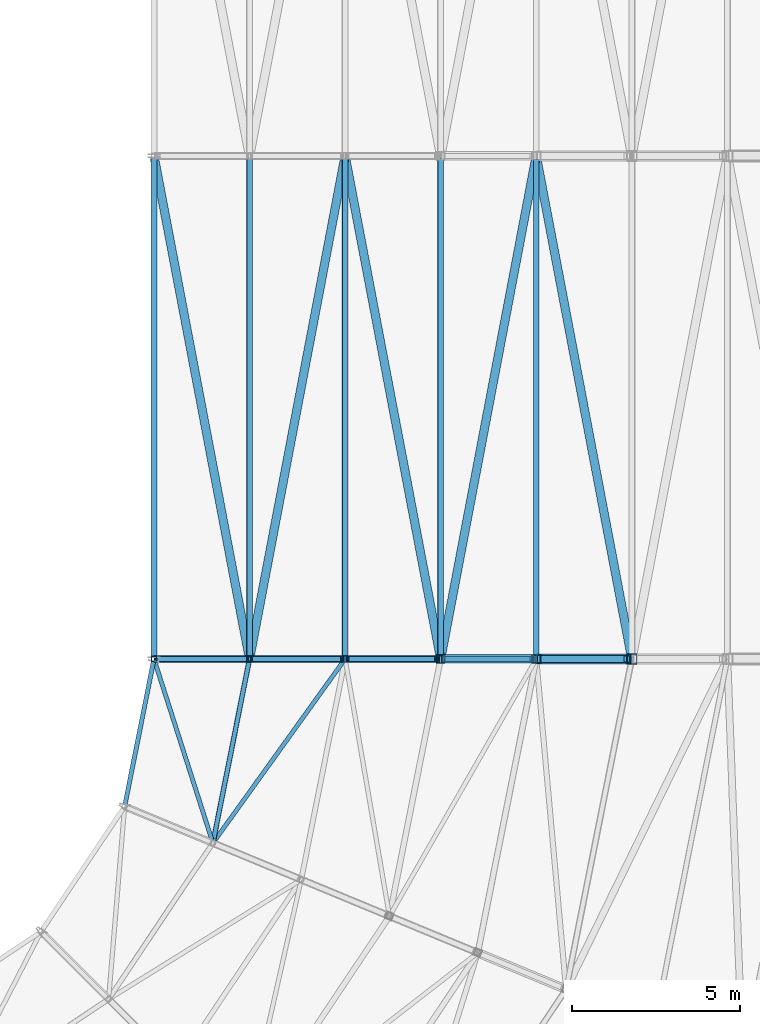
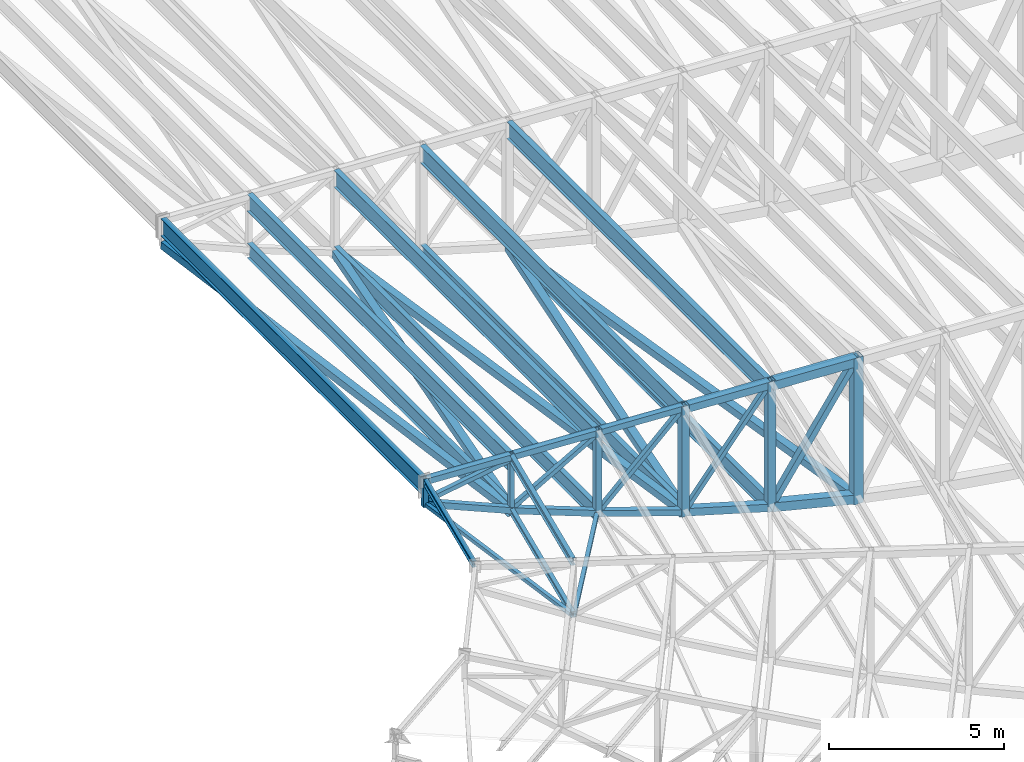
# One storey, part 50 of 278: 24 members, 16 beams.
"""IFC4 building model written with IfcOpenShell, lengths in metres."""

from ifc_helpers import new_model, si_unit, direction, frame, origin, origin_2d, place, context, subcontext, project, spatial, hollow_rectangle, i_section, extrude, material, material_profile, profile_set, type_object, element, save


model = new_model("IFC4")

# Units and contexts
model_context = context("Model", 3, precision=1e-05, world=origin(), true_north=direction((0.0, 1.0)))
body_context = subcontext(model_context, "Body", "Model", "MODEL_VIEW")
ifc_project = project(units=[si_unit("LENGTHUNIT", "METRE"), si_unit("AREAUNIT", "SQUARE_METRE"), si_unit("VOLUMEUNIT", "CUBIC_METRE"), si_unit("PLANEANGLEUNIT", "RADIAN"), si_unit("MASSUNIT", "GRAM", prefix="KILO")], contexts=[model_context])

# Site, building, storey
site_placement = place(None, origin())
site = spatial("IfcSite", under=ifc_project, at=site_placement, CompositionType="ELEMENT")
building_placement = place(site_placement, origin())
building = spatial("IfcBuilding", under=site, at=building_placement, Name="Ogive Plaza Stadium", CompositionType="ELEMENT")
storey_placement = place(building_placement, frame((0.0, 0.0, 29.0)))
storey = spatial("IfcBuildingStorey", under=building, at=storey_placement, Name="Roof", CompositionType="ELEMENT", Elevation=29.0)

# Members
ifc_material_1 = material(Name="Steel ASTM A500 Grade C", Category="steel")
ifc_material_profile_1 = material_profile(ifc_material_1, hollow_rectangle(XDim=0.25390625, YDim=0.25390625, WallThickness=0.0087890625, at=origin_2d()), Name="HSS10X10X3/8")
ifc_profile_set_1 = profile_set([ifc_material_profile_1], Name="Steel ASTM A500 Grade C")
member_type_1 = type_object("IfcMemberType", Name="Roof plan brace HSS10X10X3/8", PredefinedType="BRACE", material=ifc_profile_set_1)
member_1_placement = place(storey_placement, frame((45.513427734375, -37.5703125, 6.520751953125), z_axis=(0.1860644689, -0.979300227871, -0.079693645318), x_axis=(0.982424925297, 0.186658153196, 0.0)))
element("IfcMember", 1, at=member_1_placement, inside=storey, type_object=member_type_1, Name="ROOF BRACE B07 1", PredefinedType="BRACE", context=body_context, shape_type="SweptSolid", body=[
    extrude(hollow_rectangle(XDim=0.25390625, YDim=0.25390625, WallThickness=0.0087890625, at=origin_2d()), origin(), (0.0, 0.0, 1.0), 15.173583984375),
])
member_2_placement = place(storey_placement, frame((48.36328125, -52.4296875, 5.30078125), z_axis=(0.18619699352, 0.979917118172, -0.071366106221), x_axis=(-0.982422109195, 0.186672974385, 0.0)))
element("IfcMember", 2, at=member_2_placement, inside=storey, type_object=member_type_1, Name="ROOF BRACE B07 2", PredefinedType="BRACE", context=body_context, shape_type="SweptSolid", body=[
    extrude(hollow_rectangle(XDim=0.25390625, YDim=0.25390625, WallThickness=0.0087890625, at=origin_2d()), origin(), (0.0, 0.0, 1.0), 15.1376953125),
])
member_3_placement = place(storey_placement, frame((51.21826171875, -37.595947265625, 4.20751953125), z_axis=(0.186305134019, -0.980575459807, -0.061336487198), x_axis=(0.982425223956, 0.186656581279, 0.0)))
element("IfcMember", 3, at=member_3_placement, inside=storey, type_object=member_type_1, Name="ROOF BRACE B07 3", PredefinedType="BRACE", context=body_context, shape_type="SweptSolid", body=[
    extrude(hollow_rectangle(XDim=0.25390625, YDim=0.25390625, WallThickness=0.0087890625, at=origin_2d()), origin(), (0.0, 0.0, 1.0), 15.1015625),
])
member_4_placement = place(storey_placement, frame((54.068115234375, -52.404052734375, 3.27001953125), z_axis=(0.186406461707, 0.981044003163, -0.052965034622), x_axis=(-0.982422964001, 0.186668475654, 0.0)))
element("IfcMember", 4, at=member_4_placement, inside=storey, type_object=member_type_1, Name="ROOF BRACE B07 4", PredefinedType="BRACE", context=body_context, shape_type="SweptSolid", body=[
    extrude(hollow_rectangle(XDim=0.25390625, YDim=0.25390625, WallThickness=0.0087890625, at=origin_2d()), origin(), (0.0, 0.0, 1.0), 15.068359375),
])
member_5_placement = place(storey_placement, frame((56.923095703125, -37.621337890625, 2.459716796875), z_axis=(0.186461324063, -0.981373677857, -0.046237204039), x_axis=(0.982424391989, 0.186660960097, 0.0)))
element("IfcMember", 5, at=member_5_placement, inside=storey, type_object=member_type_1, Name="ROOF BRACE B07 5", PredefinedType="BRACE", context=body_context, shape_type="SweptSolid", body=[
    extrude(hollow_rectangle(XDim=0.25390625, YDim=0.25390625, WallThickness=0.0087890625, at=origin_2d()), origin(), (0.0, 0.0, 1.0), 15.011474609375),
])
ifc_material_2 = material(Name="Steel ASTM A500 Grade C", Category="steel")
ifc_material_profile_2 = material_profile(ifc_material_2, hollow_rectangle(XDim=0.126953125, YDim=0.126953125, WallThickness=0.005859375, at=origin_2d()), Name="HSS5X5X1/4")
ifc_profile_set_2 = profile_set([ifc_material_profile_2], Name="Steel ASTM A500 Grade C")
member_type_2 = type_object("IfcMemberType", Name="Roof plan brace HSS5X5X1/4", PredefinedType="BRACE", material=ifc_profile_set_2)
member_6_placement = place(storey_placement, frame((45.521484375, -52.56689453125, 6.51171875), z_axis=(0.298211703001, -0.931756186308, -0.207123609157), x_axis=(0.952409392659, 0.304821831197, 0.0)))
element("IfcMember", 6, at=member_6_placement, inside=storey, type_object=member_type_2, Name="ROOF BRACE B08 1", PredefinedType="BRACE", context=body_context, shape_type="SweptSolid", body=[
    extrude(hollow_rectangle(XDim=0.126953125, YDim=0.126953125, WallThickness=0.005859375, at=origin_2d()), origin(), (0.0, 0.0, 1.0), 5.695556640625),
])
member_7_placement = place(storey_placement, frame((47.29443359375, -57.940185546875, 5.295654296875), z_axis=(0.575714451742, 0.801941815002, -0.15950609834), x_axis=(-0.812342279375, 0.583180950598, 0.0)))
element("IfcMember", 7, at=member_7_placement, inside=storey, type_object=member_type_2, Name="ROOF BRACE B08 2", PredefinedType="BRACE", context=body_context, shape_type="SweptSolid", body=[
    extrude(hollow_rectangle(XDim=0.126953125, YDim=0.126953125, WallThickness=0.005859375, at=origin_2d()), origin(), (0.0, 0.0, 1.0), 6.641357421875),
])
ifc_material_3 = material(Name="Steel ASTM A992 Grade 50", Category="steel")
ifc_material_profile_3 = material_profile(ifc_material_3, i_section(OverallWidth=0.1650390625, OverallDepth=0.524658203125, WebThickness=0.0087890625, FlangeThickness=0.011474609375, at=origin_2d()), Name="W21X44")
ifc_profile_set_3 = profile_set([ifc_material_profile_3], Name="Steel ASTM A992 Grade 50")
member_type_3 = type_object("IfcMemberType", Name="Roof plan strut W21X44", PredefinedType="STRUT", material=ifc_profile_set_3)
member_8_placement = place(storey_placement, frame((48.35009765625, -37.546142578125, 5.305908203125), z_axis=(0.0, -1.0, 0.0), x_axis=(1.0, 0.0, 0.0)))
element("IfcMember", 8, at=member_8_placement, inside=storey, type_object=member_type_3, Name="ROOF STRUT B07 1", PredefinedType="STRUT", context=body_context, shape_type="SweptSolid", body=[
    extrude(i_section(OverallWidth=0.1650390625, OverallDepth=0.524658203125, WebThickness=0.0087890625, FlangeThickness=0.011474609375, at=origin_2d()), origin(), (0.0, 0.0, 1.0), 14.90771484375),
])
for number, where, z_axis, x_axis, name in (
    (9, (51.199951171875, -37.571533203125, 4.213623046875), (0.0, -1.0, 0.0), (1.0, 0.0, 0.0), "ROOF STRUT B07 2"),
    (10, (54.050048828125, -37.571533203125, 3.275146484375), (0.0, -1.0, 0.0), (1.0, 0.0, 0.0), "ROOF STRUT B07 3"),
):
    element("IfcMember", number, at=place(storey_placement, frame(where, z_axis=z_axis, x_axis=x_axis)), inside=storey, type_object=member_type_3, Name=name, PredefinedType="STRUT", context=body_context, shape_type="SweptSolid", body=[
        extrude(i_section(OverallWidth=0.1650390625, OverallDepth=0.524658203125, WebThickness=0.0087890625, FlangeThickness=0.011474609375, at=origin_2d()), origin(), (0.0, 0.0, 1.0), 14.85693359375),
    ])
member_9_placement = place(storey_placement, frame((56.89990234375, -37.596923828125, 2.46533203125), z_axis=(0.0, -1.0, 0.0), x_axis=(1.0, 0.0, 0.0)))
element("IfcMember", 11, at=member_9_placement, inside=storey, type_object=member_type_3, Name="ROOF STRUT B07 4", PredefinedType="STRUT", context=body_context, shape_type="SweptSolid", body=[
    extrude(i_section(OverallWidth=0.1650390625, OverallDepth=0.524658203125, WebThickness=0.0087890625, FlangeThickness=0.011474609375, at=origin_2d()), origin(), (0.0, 0.0, 1.0), 14.80615234375),
])
ifc_material_4 = material(Name="Steel ASTM A992 Grade 50", Category="steel")
ifc_material_profile_4 = material_profile(ifc_material_4, i_section(OverallWidth=0.13330078125, OverallDepth=0.206787109375, WebThickness=0.005859375, FlangeThickness=0.00830078125, at=origin_2d()), Name="W8X18")
ifc_profile_set_4 = profile_set([ifc_material_profile_4], Name="Steel ASTM A992 Grade 50")
member_type_4 = type_object("IfcMemberType", Name="Roof plan strut W8X18", PredefinedType="STRUT", material=ifc_profile_set_4)
member_10_placement = place(storey_placement, frame((48.338134765625, -52.559814453125, 5.305908203125), z_axis=(-0.195104522491, -0.980782455646, 0.0), x_axis=(0.980782455646, -0.195104522491, 0.0)))
element("IfcMember", 12, at=member_10_placement, inside=storey, type_object=member_type_4, Name="ROOF STRUT B08 1", PredefinedType="STRUT", context=body_context, shape_type="SweptSolid", body=[
    extrude(i_section(OverallWidth=0.13330078125, OverallDepth=0.206787109375, WebThickness=0.005859375, FlangeThickness=0.00830078125, at=origin_2d()), origin(), (0.0, 0.0, 1.0), 5.47705078125),
])
ifc_material_5 = material(Name="Steel ASTM A992 Grade 50", Category="steel")
ifc_material_profile_5 = material_profile(ifc_material_5, i_section(OverallWidth=0.14599609375, OverallDepth=0.25830078125, WebThickness=0.006103515625, FlangeThickness=0.009033203125, at=origin_2d()), Name="W10X22")
ifc_profile_set_5 = profile_set([ifc_material_profile_5], Name="Steel ASTM A992 Grade 50")
member_type_5 = type_object("IfcMemberType", Name="Roof purlin W10X22", PredefinedType="PURLIN", material=ifc_profile_set_5)
member_11_placement = place(storey_placement, frame((48.337890625, -52.56103515625, 7.1533203125), z_axis=(-0.195104062379, -0.980782547175, 0.0), x_axis=(0.980782547175, -0.195104062379, 0.0)))
element("IfcMember", 13, at=member_11_placement, inside=storey, type_object=member_type_5, Name="ROOF PURLIN B08 1", PredefinedType="PURLIN", context=body_context, shape_type="SweptSolid", body=[
    extrude(i_section(OverallWidth=0.14599609375, OverallDepth=0.25830078125, WebThickness=0.006103515625, FlangeThickness=0.009033203125, at=origin_2d()), origin(), (0.0, 0.0, 1.0), 5.474609375),
])
ifc_material_6 = material(Name="Steel ASTM A992 Grade 50", Category="steel")
ifc_material_profile_6 = material_profile(ifc_material_6, i_section(OverallWidth=0.177978515625, OverallDepth=0.5986328125, WebThickness=0.010009765625, FlangeThickness=0.012939453125, at=origin_2d()), Name="W24X55")
ifc_profile_set_6 = profile_set([ifc_material_profile_6], Name="Steel ASTM A992 Grade 50")
member_type_6 = type_object("IfcMemberType", Name="Roof purlin W24X55", PredefinedType="PURLIN", material=ifc_profile_set_6)
member_12_placement = place(storey_placement, frame((48.35009765625, -37.546142578125, 6.983154296875), z_axis=(0.0, -1.0, 0.0), x_axis=(1.0, 0.0, 0.0)))
element("IfcMember", 14, at=member_12_placement, inside=storey, type_object=member_type_6, Name="ROOF PURLIN B07 1", PredefinedType="PURLIN", context=body_context, shape_type="SweptSolid", body=[
    extrude(i_section(OverallWidth=0.177978515625, OverallDepth=0.5986328125, WebThickness=0.010009765625, FlangeThickness=0.012939453125, at=origin_2d()), origin(), (0.0, 0.0, 1.0), 14.90771484375),
])
for number, where, z_axis, x_axis, name in (
    (15, (51.199951171875, -37.571533203125, 6.840576171875), (0.0, -1.0, 0.0), (1.0, 0.0, 0.0), "ROOF PURLIN B07 2"),
    (16, (54.050048828125, -37.571533203125, 6.6982421875), (0.0, -1.0, 0.0), (1.0, 0.0, 0.0), "ROOF PURLIN B07 3"),
):
    element("IfcMember", number, at=place(storey_placement, frame(where, z_axis=z_axis, x_axis=x_axis)), inside=storey, type_object=member_type_6, Name=name, PredefinedType="PURLIN", context=body_context, shape_type="SweptSolid", body=[
        extrude(i_section(OverallWidth=0.177978515625, OverallDepth=0.5986328125, WebThickness=0.010009765625, FlangeThickness=0.012939453125, at=origin_2d()), origin(), (0.0, 0.0, 1.0), 14.85693359375),
    ])
member_13_placement = place(storey_placement, frame((56.89990234375, -37.596923828125, 6.5556640625), z_axis=(0.0, -1.0, 0.0), x_axis=(1.0, 0.0, 0.0)))
element("IfcMember", 17, at=member_13_placement, inside=storey, type_object=member_type_6, Name="ROOF PURLIN B07 4", PredefinedType="PURLIN", context=body_context, shape_type="SweptSolid", body=[
    extrude(i_section(OverallWidth=0.177978515625, OverallDepth=0.5986328125, WebThickness=0.010009765625, FlangeThickness=0.012939453125, at=origin_2d()), origin(), (0.0, 0.0, 1.0), 14.80615234375),
])
ifc_material_7 = material(Name="Steel ASTM A992 Grade 50", Category="steel")
ifc_material_profile_7 = material_profile(ifc_material_7, i_section(OverallWidth=0.177978515625, OverallDepth=0.5986328125, WebThickness=0.010009765625, FlangeThickness=0.012939453125, at=origin_2d()), Name="W24X55")
ifc_profile_set_7 = profile_set([ifc_material_profile_7], Name="Steel ASTM A992 Grade 50")
member_type_7 = type_object("IfcMemberType", Name="Roof tip ring beam W24X55", PredefinedType="MEMBER", material=ifc_profile_set_7)
member_14_placement = place(storey_placement, frame((45.5, -37.546142578125, 7.125732421875), z_axis=(0.0, -1.0, 0.0), x_axis=(1.0, 0.0, 0.0)))
element("IfcMember", 18, at=member_14_placement, inside=storey, type_object=member_type_7, Name="RING BEAM B07", PredefinedType="MEMBER", context=body_context, shape_type="SweptSolid", body=[
    extrude(i_section(OverallWidth=0.177978515625, OverallDepth=0.5986328125, WebThickness=0.010009765625, FlangeThickness=0.012939453125, at=origin_2d()), origin(), (0.0, 0.0, 1.0), 14.90771484375),
])
ifc_material_8 = material(Name="Steel ASTM A992 Grade 50", Category="steel")
ifc_material_profile_8 = material_profile(ifc_material_8, i_section(OverallWidth=0.13330078125, OverallDepth=0.206787109375, WebThickness=0.005859375, FlangeThickness=0.00830078125, at=origin_2d()), Name="W8X18")
ifc_profile_set_8 = profile_set([ifc_material_profile_8], Name="Steel ASTM A992 Grade 50")
member_type_8 = type_object("IfcMemberType", Name="Roof tip ring beam W8X18", PredefinedType="MEMBER", material=ifc_profile_set_8)
member_15_placement = place(storey_placement, frame((45.488037109375, -52.559814453125, 7.321533203125), z_axis=(-0.195083474499, -0.980786642434, 0.0), x_axis=(0.980786642434, -0.195083474499, 0.0)))
element("IfcMember", 19, at=member_15_placement, inside=storey, type_object=member_type_8, Name="RING BEAM B08", PredefinedType="MEMBER", context=body_context, shape_type="SweptSolid", body=[
    extrude(i_section(OverallWidth=0.13330078125, OverallDepth=0.206787109375, WebThickness=0.005859375, FlangeThickness=0.00830078125, at=origin_2d()), origin(), (0.0, 0.0, 1.0), 4.365234375),
])

# Beams
ifc_material_9 = material(Name="Steel ASTM A500 Grade C", Category="steel")
ifc_material_profile_9 = material_profile(ifc_material_9, hollow_rectangle(XDim=0.25390625, YDim=0.25390625, WallThickness=0.01171875, at=origin_2d()), Name="HSS10X10X1/2")
ifc_profile_set_9 = profile_set([ifc_material_profile_9], Name="Steel ASTM A500 Grade C")
beam_type_1 = type_object("IfcBeamType", Name="Roof truss bottom chord HSS10X10X1/2", PredefinedType="BEAM", material=ifc_profile_set_9)
beam_1_placement = place(storey_placement, frame((54.10009765625, -52.5, 3.265869140625), z_axis=(0.959640437259, 0.0, -0.281229854705), x_axis=(0.0, 1.0, 0.0)))
element("IfcBeam", 20, at=beam_1_placement, inside=storey, type_object=beam_type_1, Name="ROOF TRUSS T08 BOTTOM CHORD 4", PredefinedType="BEAM", context=body_context, shape_type="SweptSolid", body=[
    extrude(hollow_rectangle(XDim=0.25390625, YDim=0.25390625, WallThickness=0.01171875, at=origin_2d()), origin(), (0.0, 0.0, 1.0), 2.86572265625),
])
ifc_material_10 = material(Name="Steel ASTM A500 Grade C", Category="steel")
ifc_material_profile_10 = material_profile(ifc_material_10, hollow_rectangle(XDim=0.3046875, YDim=0.3046875, WallThickness=0.0146484375, at=origin_2d()), Name="HSS12X12X5/8")
ifc_profile_set_10 = profile_set([ifc_material_profile_10], Name="Steel ASTM A500 Grade C")
beam_type_2 = type_object("IfcBeamType", Name="Roof truss bottom chord HSS12X12X5/8", PredefinedType="BEAM", material=ifc_profile_set_10)
beam_2_placement = place(storey_placement, frame((56.949951171875, -52.5, 2.45751953125), z_axis=(0.970607032995, 0.0, -0.240669872439), x_axis=(0.0, 1.0, 0.0)))
element("IfcBeam", 21, at=beam_2_placement, inside=storey, type_object=beam_type_2, Name="ROOF TRUSS T08 BOTTOM CHORD 5", PredefinedType="BEAM", context=body_context, shape_type="SweptSolid", body=[
    extrude(hollow_rectangle(XDim=0.3046875, YDim=0.3046875, WallThickness=0.0146484375, at=origin_2d()), origin(), (0.0, 0.0, 1.0), 2.833251953125),
])
ifc_material_11 = material(Name="Steel ASTM A500 Grade C", Category="steel")
ifc_material_profile_11 = material_profile(ifc_material_11, hollow_rectangle(XDim=0.203125, YDim=0.203125, WallThickness=0.01171875, at=origin_2d()), Name="HSS8X8X1/2")
ifc_profile_set_11 = profile_set([ifc_material_profile_11], Name="Steel ASTM A500 Grade C")
beam_type_3 = type_object("IfcBeamType", Name="Roof truss bottom chord HSS8X8X1/2", PredefinedType="BEAM", material=ifc_profile_set_11)
beam_3_placement = place(storey_placement, frame((45.5400390625, -52.5, 6.518310546875), z_axis=(0.919215459426, 0.0, -0.393754922702), x_axis=(0.0, 1.0, 0.0)))
element("IfcBeam", 22, at=beam_3_placement, inside=storey, type_object=beam_type_3, Name="ROOF TRUSS T08 BOTTOM CHORD 1", PredefinedType="BEAM", context=body_context, shape_type="SweptSolid", body=[
    extrude(hollow_rectangle(XDim=0.203125, YDim=0.203125, WallThickness=0.01171875, at=origin_2d()), origin(), (0.0, 0.0, 1.0), 3.04736328125),
])
beam_4_placement = place(storey_placement, frame((48.386474609375, -52.5, 5.299072265625), z_axis=(0.933780874892, 0.0, -0.357845326484), x_axis=(0.0, 1.0, 0.0)))
element("IfcBeam", 23, at=beam_4_placement, inside=storey, type_object=beam_type_3, Name="ROOF TRUSS T08 BOTTOM CHORD 2", PredefinedType="BEAM", context=body_context, shape_type="SweptSolid", body=[
    extrude(hollow_rectangle(XDim=0.203125, YDim=0.203125, WallThickness=0.01171875, at=origin_2d()), origin(), (0.0, 0.0, 1.0), 2.97314453125),
])
beam_5_placement = place(storey_placement, frame((51.24072265625, -52.5, 4.20556640625), z_axis=(0.947299736415, 0.0, -0.320348574817), x_axis=(0.0, 1.0, 0.0)))
element("IfcBeam", 24, at=beam_5_placement, inside=storey, type_object=beam_type_3, Name="ROOF TRUSS T08 BOTTOM CHORD 3", PredefinedType="BEAM", context=body_context, shape_type="SweptSolid", body=[
    extrude(hollow_rectangle(XDim=0.203125, YDim=0.203125, WallThickness=0.01171875, at=origin_2d()), origin(), (0.0, 0.0, 1.0), 2.912841796875),
])

# Members
ifc_material_12 = material(Name="Steel ASTM A500 Grade C", Category="steel")
ifc_material_profile_12 = material_profile(ifc_material_12, hollow_rectangle(XDim=0.15234375, YDim=0.15234375, WallThickness=0.005859375, at=origin_2d()), Name="HSS6X6X1/4")
ifc_profile_set_12 = profile_set([ifc_material_profile_12], Name="Steel ASTM A500 Grade C")
member_type_9 = type_object("IfcMemberType", Name="Roof truss diagonal HSS6X6X1/4", PredefinedType="BRACE", material=ifc_profile_set_12)
member_16_placement = place(storey_placement, frame((45.576171875, -52.5, 6.628173828125), z_axis=(0.986299671123, 0.0, 0.164963507307), x_axis=(0.0, 1.0, 0.0)))
element("IfcMember", 25, at=member_16_placement, inside=storey, type_object=member_type_9, Name="ROOF TRUSS T08 DIAGONAL 1", PredefinedType="BRACE", context=body_context, shape_type="SweptSolid", body=[
    extrude(hollow_rectangle(XDim=0.15234375, YDim=0.15234375, WallThickness=0.005859375, at=origin_2d()), origin(), (0.0, 0.0, 1.0), 2.73486328125),
])
member_17_placement = place(storey_placement, frame((48.42626953125, -52.5, 5.407470703125), z_axis=(0.8679111184, 0.0, 0.496719529069), x_axis=(0.0, 1.0, 0.0)))
element("IfcMember", 26, at=member_17_placement, inside=storey, type_object=member_type_9, Name="ROOF TRUSS T08 DIAGONAL 2", PredefinedType="BRACE", context=body_context, shape_type="SweptSolid", body=[
    extrude(hollow_rectangle(XDim=0.15234375, YDim=0.15234375, WallThickness=0.005859375, at=origin_2d()), origin(), (0.0, 0.0, 1.0), 3.078857421875),
])
ifc_material_13 = material(Name="Steel ASTM A500 Grade C", Category="steel")
ifc_material_profile_13 = material_profile(ifc_material_13, hollow_rectangle(XDim=0.15234375, YDim=0.15234375, WallThickness=0.0087890625, at=origin_2d()), Name="HSS6X6X3/8")
ifc_profile_set_13 = profile_set([ifc_material_profile_13], Name="Steel ASTM A500 Grade C")
member_type_10 = type_object("IfcMemberType", Name="Roof truss diagonal HSS6X6X3/8", PredefinedType="BRACE", material=ifc_profile_set_13)
member_18_placement = place(storey_placement, frame((51.301513671875, -52.5, 4.315185546875), z_axis=(0.726588919749, 0.0, 0.687072442832), x_axis=(0.0, 1.0, 0.0)))
element("IfcMember", 27, at=member_18_placement, inside=storey, type_object=member_type_10, Name="ROOF TRUSS T08 DIAGONAL 3", PredefinedType="BRACE", context=body_context, shape_type="SweptSolid", body=[
    extrude(hollow_rectangle(XDim=0.15234375, YDim=0.15234375, WallThickness=0.0087890625, at=origin_2d()), origin(), (0.0, 0.0, 1.0), 3.608154296875),
])
member_19_placement = place(storey_placement, frame((54.177001953125, -52.5, 3.40234375), z_axis=(0.630150764463, 0.0, 0.77647280316), x_axis=(0.0, 1.0, 0.0)))
element("IfcMember", 28, at=member_19_placement, inside=storey, type_object=member_type_10, Name="ROOF TRUSS T08 DIAGONAL 4", PredefinedType="BRACE", context=body_context, shape_type="SweptSolid", body=[
    extrude(hollow_rectangle(XDim=0.15234375, YDim=0.15234375, WallThickness=0.0087890625, at=origin_2d()), origin(), (0.0, 0.0, 1.0), 4.11962890625),
])
ifc_material_14 = material(Name="Steel ASTM A500 Grade C", Category="steel")
ifc_material_profile_14 = material_profile(ifc_material_14, hollow_rectangle(XDim=0.203125, YDim=0.203125, WallThickness=0.0087890625, at=origin_2d()), Name="HSS8X8X3/8")
ifc_profile_set_14 = profile_set([ifc_material_profile_14], Name="Steel ASTM A500 Grade C")
member_type_11 = type_object("IfcMemberType", Name="Roof truss diagonal HSS8X8X3/8", PredefinedType="BRACE", material=ifc_profile_set_14)
member_20_placement = place(storey_placement, frame((57.027099609375, -52.5, 2.617919921875), z_axis=(0.561338440243, 0.0, 0.827586343233), x_axis=(0.0, 1.0, 0.0)))
element("IfcMember", 29, at=member_20_placement, inside=storey, type_object=member_type_11, Name="ROOF TRUSS T08 DIAGONAL 5", PredefinedType="BRACE", context=body_context, shape_type="SweptSolid", body=[
    extrude(hollow_rectangle(XDim=0.203125, YDim=0.203125, WallThickness=0.0087890625, at=origin_2d()), origin(), (0.0, 0.0, 1.0), 4.579345703125),
])

# Beams
ifc_material_15 = material(Name="Steel ASTM A500 Grade C", Category="steel")
ifc_material_profile_15 = material_profile(ifc_material_15, hollow_rectangle(XDim=0.25390625, YDim=0.25390625, WallThickness=0.01171875, at=origin_2d()), Name="HSS10X10X1/2")
ifc_profile_set_15 = profile_set([ifc_material_profile_15], Name="Steel ASTM A500 Grade C")
beam_type_4 = type_object("IfcBeamType", Name="Roof truss post HSS10X10X1/2", PredefinedType="BEAM", material=ifc_profile_set_15)
beam_6_placement = place(storey_placement, frame((54.050048828125, -52.5, 3.148193359375), z_axis=(0.0, 0.0, 1.0), x_axis=(0.0, 1.0, 0.0)))
element("IfcBeam", 30, at=beam_6_placement, inside=storey, type_object=beam_type_4, Name="ROOF TRUSS T08 POST 4", PredefinedType="BEAM", context=body_context, shape_type="SweptSolid", body=[
    extrude(hollow_rectangle(XDim=0.25390625, YDim=0.25390625, WallThickness=0.01171875, at=origin_2d()), origin(), (0.0, 0.0, 1.0), 3.849365234375),
])
beam_7_placement = place(storey_placement, frame((56.89990234375, -52.5, 2.31298828125), z_axis=(0.0, 0.0, 1.0), x_axis=(0.0, 1.0, 0.0)))
element("IfcBeam", 31, at=beam_7_placement, inside=storey, type_object=beam_type_4, Name="ROOF TRUSS T08 POST 5", PredefinedType="BEAM", context=body_context, shape_type="SweptSolid", body=[
    extrude(hollow_rectangle(XDim=0.25390625, YDim=0.25390625, WallThickness=0.01171875, at=origin_2d()), origin(), (0.0, 0.0, 1.0), 4.5419921875),
])
ifc_material_16 = material(Name="Steel ASTM A500 Grade C", Category="steel")
ifc_material_profile_16 = material_profile(ifc_material_16, hollow_rectangle(XDim=0.3046875, YDim=0.3046875, WallThickness=0.01171875, at=origin_2d()), Name="HSS12X12X1/2")
ifc_profile_set_16 = profile_set([ifc_material_profile_16], Name="Steel ASTM A500 Grade C")
beam_type_5 = type_object("IfcBeamType", Name="Roof truss post HSS12X12X1/2", PredefinedType="BEAM", material=ifc_profile_set_16)
beam_8_placement = place(storey_placement, frame((59.75, -52.5, 1.606201171875), z_axis=(0.0, 0.0, 1.0), x_axis=(0.0, 1.0, 0.0)))
element("IfcBeam", 32, at=beam_8_placement, inside=storey, type_object=beam_type_5, Name="ROOF TRUSS T08 POST 6", PredefinedType="BEAM", context=body_context, shape_type="SweptSolid", body=[
    extrude(hollow_rectangle(XDim=0.3046875, YDim=0.3046875, WallThickness=0.01171875, at=origin_2d()), origin(), (0.0, 0.0, 1.0), 5.106201171875),
])
ifc_material_17 = material(Name="Steel ASTM A500 Grade C", Category="steel")
ifc_material_profile_17 = material_profile(ifc_material_17, hollow_rectangle(XDim=0.15234375, YDim=0.15234375, WallThickness=0.0087890625, at=origin_2d()), Name="HSS6X6X3/8")
ifc_profile_set_17 = profile_set([ifc_material_profile_17], Name="Steel ASTM A500 Grade C")
beam_type_6 = type_object("IfcBeamType", Name="Roof truss post HSS6X6X3/8", PredefinedType="BEAM", material=ifc_profile_set_17)
beam_9_placement = place(storey_placement, frame((45.5, -52.5, 6.425048828125), z_axis=(0.0, 0.0, 1.0), x_axis=(0.0, 1.0, 0.0)))
element("IfcBeam", 33, at=beam_9_placement, inside=storey, type_object=beam_type_6, Name="ROOF TRUSS T08 POST 1", PredefinedType="BEAM", context=body_context, shape_type="SweptSolid", body=[
    extrude(hollow_rectangle(XDim=0.15234375, YDim=0.15234375, WallThickness=0.0087890625, at=origin_2d()), origin(), (0.0, 0.0, 1.0), 1.0),
])
beam_10_placement = place(storey_placement, frame((48.35009765625, -52.5, 5.204345703125), z_axis=(0.0, 0.0, 1.0), x_axis=(0.0, 1.0, 0.0)))
element("IfcBeam", 34, at=beam_10_placement, inside=storey, type_object=beam_type_6, Name="ROOF TRUSS T08 POST 2", PredefinedType="BEAM", context=body_context, shape_type="SweptSolid", body=[
    extrude(hollow_rectangle(XDim=0.15234375, YDim=0.15234375, WallThickness=0.0087890625, at=origin_2d()), origin(), (0.0, 0.0, 1.0), 2.078125),
])
ifc_material_18 = material(Name="Steel ASTM A500 Grade C", Category="steel")
ifc_material_profile_18 = material_profile(ifc_material_18, hollow_rectangle(XDim=0.203125, YDim=0.203125, WallThickness=0.0087890625, at=origin_2d()), Name="HSS8X8X3/8")
ifc_profile_set_18 = profile_set([ifc_material_profile_18], Name="Steel ASTM A500 Grade C")
beam_type_7 = type_object("IfcBeamType", Name="Roof truss post HSS8X8X3/8", PredefinedType="BEAM", material=ifc_profile_set_18)
beam_11_placement = place(storey_placement, frame((51.199951171875, -52.5, 4.112060546875), z_axis=(0.0, 0.0, 1.0), x_axis=(0.0, 1.0, 0.0)))
element("IfcBeam", 35, at=beam_11_placement, inside=storey, type_object=beam_type_7, Name="ROOF TRUSS T08 POST 3", PredefinedType="BEAM", context=body_context, shape_type="SweptSolid", body=[
    extrude(hollow_rectangle(XDim=0.203125, YDim=0.203125, WallThickness=0.0087890625, at=origin_2d()), origin(), (0.0, 0.0, 1.0), 3.02783203125),
])
ifc_material_19 = material(Name="Steel ASTM A500 Grade C", Category="steel")
ifc_material_profile_19 = material_profile(ifc_material_19, hollow_rectangle(XDim=0.25390625, YDim=0.25390625, WallThickness=0.0087890625, at=origin_2d()), Name="HSS10X10X3/8")
ifc_profile_set_19 = profile_set([ifc_material_profile_19], Name="Steel ASTM A500 Grade C")
beam_type_8 = type_object("IfcBeamType", Name="Roof truss top chord HSS10X10X3/8", PredefinedType="BEAM", material=ifc_profile_set_19)
beam_12_placement = place(storey_placement, frame((54.10009765625, -52.5, 6.867919921875), z_axis=(0.998748798523, 0.0, -0.05000837379), x_axis=(0.0, 1.0, 0.0)))
element("IfcBeam", 36, at=beam_12_placement, inside=storey, type_object=beam_type_8, Name="ROOF TRUSS T08 TOP CHORD 4", PredefinedType="BEAM", context=body_context, shape_type="SweptSolid", body=[
    extrude(hollow_rectangle(XDim=0.25390625, YDim=0.25390625, WallThickness=0.0087890625, at=origin_2d()), origin(), (0.0, 0.0, 1.0), 2.75341796875),
])
ifc_material_20 = material(Name="Steel ASTM A500 Grade C", Category="steel")
ifc_material_profile_20 = material_profile(ifc_material_20, hollow_rectangle(XDim=0.3046875, YDim=0.3046875, WallThickness=0.0087890625, at=origin_2d()), Name="HSS12X12X3/8")
ifc_profile_set_20 = profile_set([ifc_material_profile_20], Name="Steel ASTM A500 Grade C")
beam_type_9 = type_object("IfcBeamType", Name="Roof truss top chord HSS12X12X3/8", PredefinedType="BEAM", material=ifc_profile_set_20)
beam_13_placement = place(storey_placement, frame((56.949951171875, -52.5, 6.699951171875), z_axis=(0.998753223187, 0.0, -0.049919927615), x_axis=(0.0, 1.0, 0.0)))
element("IfcBeam", 37, at=beam_13_placement, inside=storey, type_object=beam_type_9, Name="ROOF TRUSS T08 TOP CHORD 5", PredefinedType="BEAM", context=body_context, shape_type="SweptSolid", body=[
    extrude(hollow_rectangle(XDim=0.3046875, YDim=0.3046875, WallThickness=0.0087890625, at=origin_2d()), origin(), (0.0, 0.0, 1.0), 2.75341796875),
])
ifc_material_21 = material(Name="Steel ASTM A500 Grade C", Category="steel")
ifc_material_profile_21 = material_profile(ifc_material_21, hollow_rectangle(XDim=0.203125, YDim=0.203125, WallThickness=0.0087890625, at=origin_2d()), Name="HSS8X8X3/8")
ifc_profile_set_21 = profile_set([ifc_material_profile_21], Name="Steel ASTM A500 Grade C")
beam_type_10 = type_object("IfcBeamType", Name="Roof truss top chord HSS8X8X3/8", PredefinedType="BEAM", material=ifc_profile_set_21)
beam_14_placement = place(storey_placement, frame((45.541259765625, -52.5, 7.3212890625), z_axis=(0.998751459876, 0.0, -0.049955193873), x_axis=(0.0, 1.0, 0.0)))
element("IfcBeam", 38, at=beam_14_placement, inside=storey, type_object=beam_type_10, Name="ROOF TRUSS T08 TOP CHORD 1", PredefinedType="BEAM", context=body_context, shape_type="SweptSolid", body=[
    extrude(hollow_rectangle(XDim=0.203125, YDim=0.203125, WallThickness=0.0087890625, at=origin_2d()), origin(), (0.0, 0.0, 1.0), 2.77099609375),
])
beam_15_placement = place(storey_placement, frame((48.39111328125, -52.5, 7.1787109375), z_axis=(0.998752338878, 0.0, -0.049937616944), x_axis=(0.0, 1.0, 0.0)))
element("IfcBeam", 39, at=beam_15_placement, inside=storey, type_object=beam_type_10, Name="ROOF TRUSS T08 TOP CHORD 2", PredefinedType="BEAM", context=body_context, shape_type="SweptSolid", body=[
    extrude(hollow_rectangle(XDim=0.203125, YDim=0.203125, WallThickness=0.0087890625, at=origin_2d()), origin(), (0.0, 0.0, 1.0), 2.76220703125),
])
beam_16_placement = place(storey_placement, frame((51.25, -52.5, 7.035888671875), z_axis=(0.998748798523, 0.0, -0.05000837379), x_axis=(0.0, 1.0, 0.0)))
element("IfcBeam", 40, at=beam_16_placement, inside=storey, type_object=beam_type_10, Name="ROOF TRUSS T08 TOP CHORD 3", PredefinedType="BEAM", context=body_context, shape_type="SweptSolid", body=[
    extrude(hollow_rectangle(XDim=0.203125, YDim=0.203125, WallThickness=0.0087890625, at=origin_2d()), origin(), (0.0, 0.0, 1.0), 2.75341796875),
])

save(model, "model.ifc")
